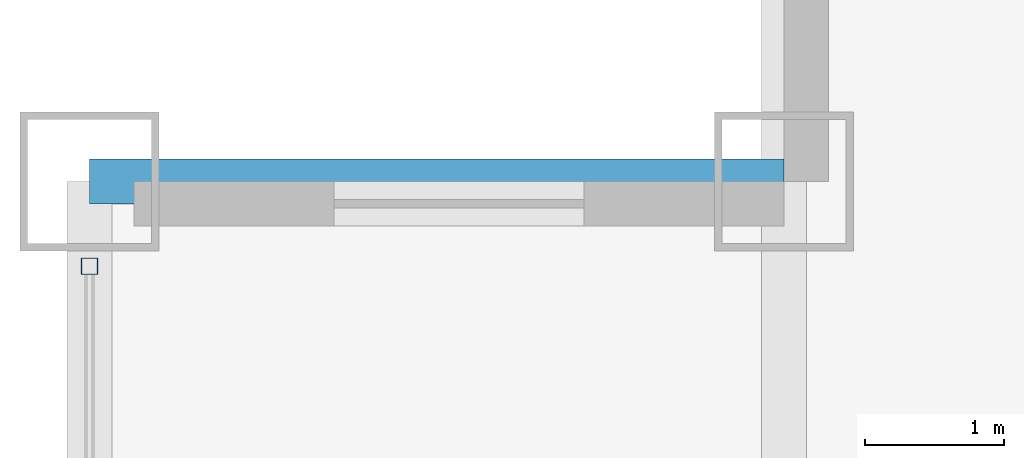
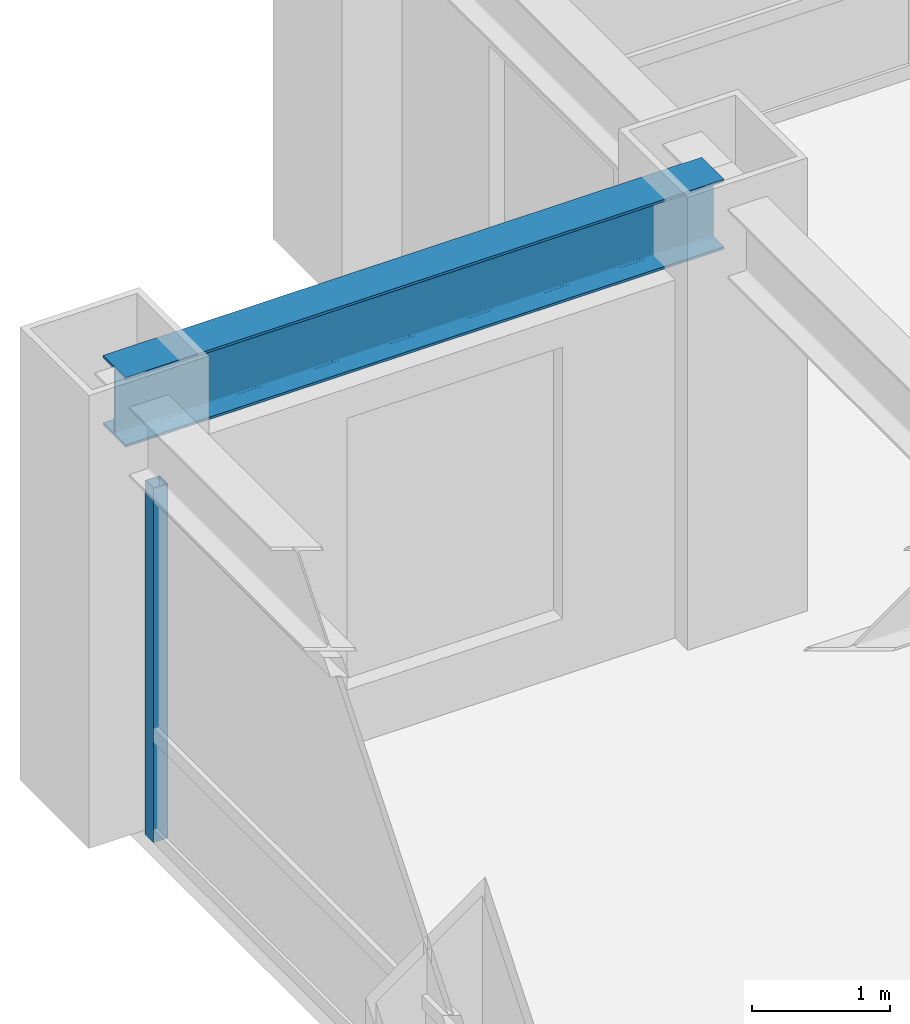
# One storey, part 12 of 25: 1 beam, 1 member, 1 element without a shape of its own.
"""IFC4 building model written with IfcOpenShell, lengths in metres."""

from ifc_helpers import new_model, si_unit, direction, frame, origin, origin_2d, place, context, subcontext, project, spatial, hollow_rectangle, i_section, extrude, source, transform, mapped, material, material_profile, profile_set, type_object, element, aggregate, save


model = new_model("IFC4")

# Units and contexts
model_context = context("Model", 3, precision=1e-05, world=origin(), true_north=direction((0.0, 1.0)))
body_context = subcontext(model_context, "Body", "Model", "MODEL_VIEW")
ifc_project = project(units=[si_unit("LENGTHUNIT", "METRE"), si_unit("AREAUNIT", "SQUARE_METRE"), si_unit("VOLUMEUNIT", "CUBIC_METRE"), si_unit("PLANEANGLEUNIT", "RADIAN"), si_unit("MASSUNIT", "GRAM", prefix="KILO")], contexts=[model_context])

# Site, building, storey
site_placement = place(None, origin())
site = spatial("IfcSite", under=ifc_project, at=site_placement, CompositionType="ELEMENT")
building_placement = place(site_placement, origin())
building = spatial("IfcBuilding", under=site, at=building_placement, Name="Khorayat Bourse Tower", CompositionType="ELEMENT")
storey_placement = place(building_placement, frame((0.0, 0.0, 223.10009765625)))
storey = spatial("IfcBuildingStorey", under=building, at=storey_placement, Name="L52", CompositionType="ELEMENT", Elevation=223.10009765625)

# Beam
ifc_material_1 = material(Name="Steel ASTM A992 Grade 50", Category="steel")
ifc_material_profile_1 = material_profile(ifc_material_1, i_section(OverallWidth=0.324951171875, OverallDepth=0.615966796875, WebThickness=0.013916015625, FlangeThickness=0.021484375, FilletRadius=0.01611328125, at=origin_2d()), Name="W610X174")
ifc_profile_set_1 = profile_set([ifc_material_profile_1], Name="Steel ASTM A992 Grade 50")
beam_type = type_object("IfcBeamType", Name="BM-SPAN-610", PredefinedType="SPANDREL", material=ifc_profile_set_1)
shared_shape_1 = source(origin(), body_context, "Body", "SweptSolid", [
    extrude(i_section(OverallWidth=0.324951171875, OverallDepth=0.615966796875, WebThickness=0.013916015625, FlangeThickness=0.021484375, FilletRadius=0.01611328125, at=origin_2d()), origin(), (0.0, 0.0, 1.0), 5.0),
])
beam_placement = place(storey_placement, frame((-30.0, 25.0, 3.471923828125), z_axis=(1.0, 0.0, 0.0), x_axis=(0.0, 1.0, 0.0)))
element("IfcBeam", 1, at=beam_placement, inside=storey, type_object=beam_type, Name="L52 BM-SPAN-610 BM-L52-SPN-053", PredefinedType="SPANDREL", context=body_context, shape_type="MappedRepresentation", body=[
    mapped(shared_shape_1, transform((0.0, 0.0, 0.0), scale=1.0)),
])

# Curtain wall, member
ifc_material_2 = material(Name="Aluminium EN AW-6063 T6", Category="aluminium")
curtain_wall_type = type_object("IfcCurtainWallType", Name="CW-SYS-03", PredefinedType="NOTDEFINED", material=ifc_material_2)
curtain_wall_placement = place(storey_placement, origin())
curtain_wall = element("IfcCurtainWall", 2, at=curtain_wall_placement, inside=storey, type_object=curtain_wall_type, Name="L52 Curtain Wall CW-L52-W1", PredefinedType="NOTDEFINED")
ifc_material_profile_2 = material_profile(ifc_material_2, hollow_rectangle(XDim=0.1201171875, YDim=0.1201171875, WallThickness=0.0048828125, at=origin_2d()), Name="ALU 120x120x5")
ifc_profile_set_2 = profile_set([ifc_material_profile_2], Name="Aluminium EN AW-6063 T6")
member_type = type_object("IfcMemberType", Name="CWM-VERT-120", PredefinedType="MULLION", material=ifc_profile_set_2)
shared_shape_2 = source(origin(), body_context, "Body", "SweptSolid", [
    extrude(hollow_rectangle(XDim=0.1201171875, YDim=0.1201171875, WallThickness=0.0048828125, at=origin_2d()), origin(), (0.0, 0.0, 1.0), 3.1298828125),
])
member_placement = place(storey_placement, frame((-30.0, 24.389892578125, 0.0), z_axis=(0.0, 0.0, 1.0), x_axis=(-1.0, 0.0, 0.0)))
member = element("IfcMember", 3, at=member_placement, type_object=member_type, Name="CW-L52-W1 Vertical Mullion 3", PredefinedType="MULLION", context=body_context, shape_type="MappedRepresentation", body=[
    mapped(shared_shape_2, transform((0.0, 0.0, 0.0), scale=1.0)),
])
aggregate(curtain_wall, [member])

save(model, "model.ifc")
